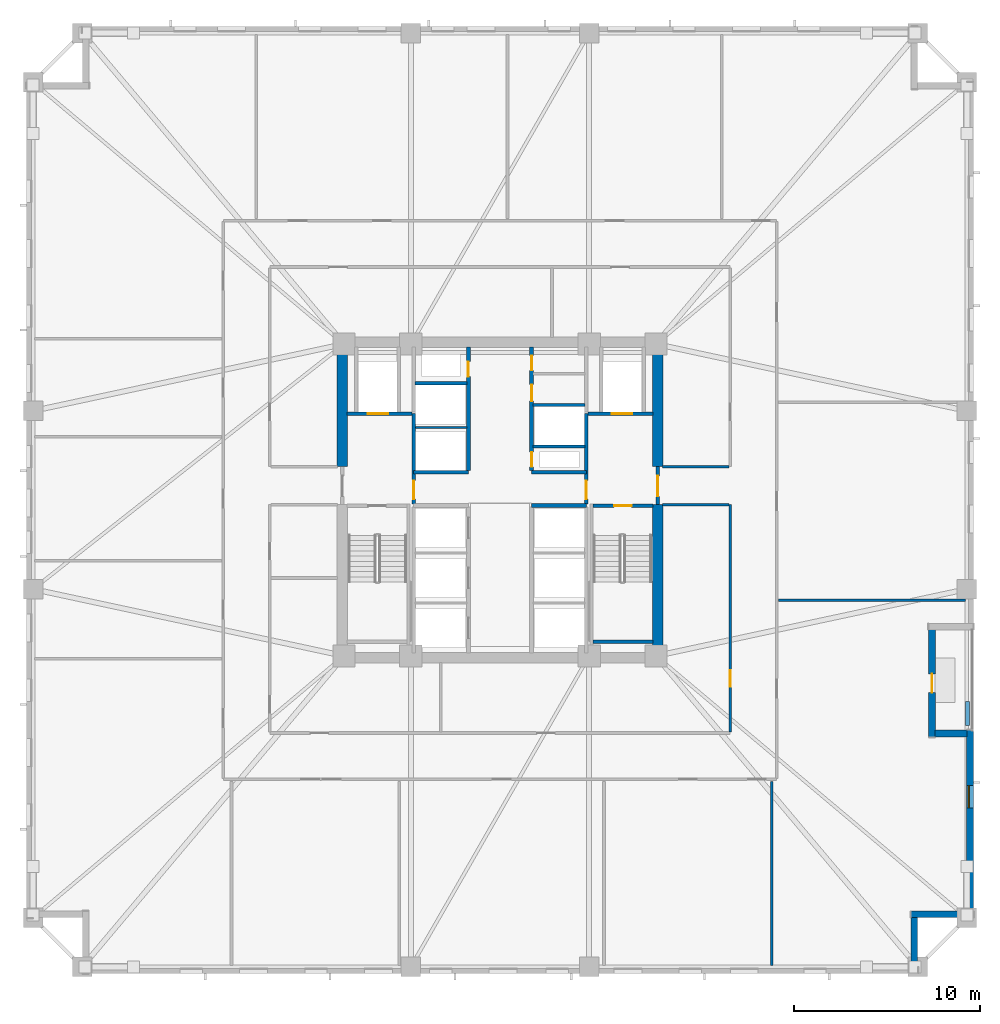
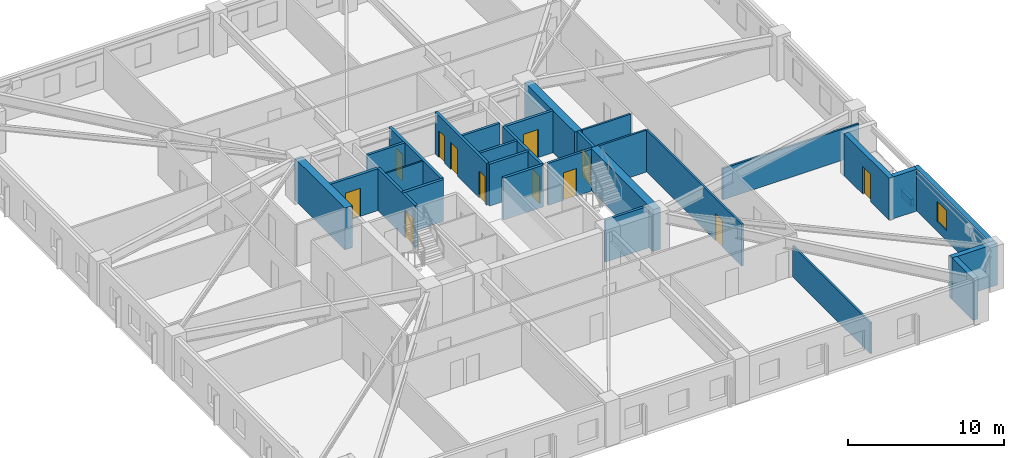
# One storey, part 4 of 11: 30 walls, 12 doors, 1 window, 13 openings.
"""IFC4 building model written with IfcOpenShell, lengths in metres."""

from ifc_helpers import new_model, si_unit, direction, frame, frame_2d, origin, place, context, subcontext, project, spatial, rectangle, extrude, material, layer, layer_set, type_object, element, fill, save


model = new_model("IFC4")

# Units and contexts
model_context = context("Model", 3, precision=1e-05, world=origin(), true_north=direction((0.0, 1.0)))
body_context = subcontext(model_context, "Body", "Model", "MODEL_VIEW")
ifc_project = project(units=[si_unit("LENGTHUNIT", "METRE"), si_unit("AREAUNIT", "SQUARE_METRE"), si_unit("VOLUMEUNIT", "CUBIC_METRE"), si_unit("PLANEANGLEUNIT", "RADIAN"), si_unit("MASSUNIT", "GRAM", prefix="KILO")], contexts=[model_context])

# Site, building, storey
site_placement = place(None, origin())
site = spatial("IfcSite", under=ifc_project, at=site_placement, CompositionType="ELEMENT")
building_placement = place(site_placement, origin())
building = spatial("IfcBuilding", under=site, at=building_placement, Name="Cairnveth Concourse Tower", CompositionType="ELEMENT")
storey_placement = place(building_placement, frame((0.0, 0.0, 55.0)))
storey = spatial("IfcBuildingStorey", under=building, at=storey_placement, Name="L14", CompositionType="ELEMENT", Elevation=55.0)

# Walls
ifc_material_1 = material(Name="Concrete N80 (80 MPa)", Category="concrete")
ifc_layer_1 = layer(ifc_material_1, 0.550048828125)
ifc_layer_set_1 = layer_set([ifc_layer_1], Name="Concrete N80 (80 MPa)")
wall_type_1 = type_object("IfcWallType", Name="CORE SHEAR WALL 550", PredefinedType="SHEAR", material=ifc_layer_set_1)
wall_1_placement = place(storey_placement, frame((43.5, 40.800048828125, 0.0), z_axis=(0.0, 0.0, 1.0), x_axis=(0.0, 1.0, 0.0)))
element("IfcWall", 1, at=wall_1_placement, inside=storey, type_object=wall_type_1, Name="Core West Shear Wall N L14", PredefinedType="SHEAR", context=body_context, shape_type="SweptSolid", body=[
    extrude(rectangle(XDim=6.43505859375, YDim=0.550048828125, at=frame_2d((3.217529296875, 0.0))), origin(), (0.0, 0.0, 1.0), 3.280029296875),
])
wall_2_placement = place(storey_placement, frame((60.5, 30.764892578125, 0.0), z_axis=(0.0, 0.0, 1.0), x_axis=(0.0, 1.0, 0.0)))
element("IfcWall", 2, at=wall_2_placement, inside=storey, type_object=wall_type_1, Name="Core East Shear Wall S L14", PredefinedType="SHEAR", context=body_context, shape_type="SweptSolid", body=[
    extrude(rectangle(XDim=7.985107421875, YDim=0.550048828125, at=frame_2d((3.99267578125, 0.0))), origin(), (0.0, 0.0, 1.0), 3.280029296875),
])
wall_3_placement = place(storey_placement, frame((60.5, 40.800048828125, 0.0), z_axis=(0.0, 0.0, 1.0), x_axis=(0.0, 1.0, 0.0)))
element("IfcWall", 3, at=wall_3_placement, inside=storey, type_object=wall_type_1, Name="Core East Shear Wall N L14", PredefinedType="SHEAR", context=body_context, shape_type="SweptSolid", body=[
    extrude(rectangle(XDim=6.43505859375, YDim=0.550048828125, at=frame_2d((3.217529296875, 0.0))), origin(), (0.0, 0.0, 1.0), 3.280029296875),
])
ifc_material_2 = material(Name="Concrete N50 (50 MPa)", Category="concrete")
ifc_layer_2 = layer(ifc_material_2, 0.179931640625)
ifc_layer_set_2 = layer_set([ifc_layer_2], Name="Concrete N50 (50 MPa)")
wall_type_2 = type_object("IfcWallType", Name="FIRE SHAFT WALL 180", PredefinedType="SOLIDWALL", material=ifc_layer_set_2)
wall_4_placement = place(storey_placement, frame((47.425048828125, 45.280029296875, 0.0), z_axis=(0.0, 0.0, 1.0), x_axis=(1.0, 0.0, 0.0)))
element("IfcWall", 4, at=wall_4_placement, inside=storey, type_object=wall_type_2, Name="Interior Wall IW-L14-033", PredefinedType="SOLIDWALL", context=body_context, shape_type="SweptSolid", body=[
    extrude(rectangle(XDim=2.7900390625, YDim=0.179931640625, at=frame_2d((1.39501953125, 0.0))), origin(), (0.0, 0.0, 1.0), 3.280029296875),
])
wall_5_placement = place(storey_placement, frame((53.784912109375, 41.8798828125, 0.0), z_axis=(0.0, 0.0, 1.0), x_axis=(1.0, 0.0, 0.0)))
element("IfcWall", 5, at=wall_5_placement, inside=storey, type_object=wall_type_2, Name="Interior Wall IW-L14-035", PredefinedType="SOLIDWALL", context=body_context, shape_type="SweptSolid", body=[
    extrude(rectangle(XDim=2.780029296875, YDim=0.179931640625, at=frame_2d((1.39013671875, 0.0))), origin(), (0.0, 0.0, 1.0), 3.280029296875),
])
wall_6_placement = place(storey_placement, frame((53.784912109375, 44.1201171875, 0.0), z_axis=(0.0, 0.0, 1.0), x_axis=(1.0, 0.0, 0.0)))
element("IfcWall", 6, at=wall_6_placement, inside=storey, type_object=wall_type_2, Name="Interior Wall IW-L14-036", PredefinedType="SOLIDWALL", context=body_context, shape_type="SweptSolid", body=[
    extrude(rectangle(XDim=2.7900390625, YDim=0.179931640625, at=frame_2d((1.39501953125, 0.0))), origin(), (0.0, 0.0, 1.0), 3.280029296875),
])

# Wall, opening, door
wall_7_placement = place(storey_placement, frame((57.0048828125, 38.68994140625, 0.0), z_axis=(0.0, 0.0, 1.0), x_axis=(1.0, 0.0, 0.0)))
wall_7 = element("IfcWall", 7, at=wall_7_placement, inside=storey, type_object=wall_type_2, Name="Stair ST-2 Shaft Wall NEAR L14", PredefinedType="SOLIDWALL", context=body_context, shape_type="SweptSolid", body=[
    extrude(rectangle(XDim=3.230224609375, YDim=0.179931640625, at=frame_2d((1.615234375, 0.0))), origin(), (0.0, 0.0, 1.0), 3.280029296875),
])
opening_1_placement = place(wall_7_placement, frame((1.139892578125, 0.0, 0.0)))
opening_1 = element("IfcOpeningElement", 8, at=opening_1_placement, cuts=wall_7, Name="Opening ID12", PredefinedType="OPENING", context=body_context, shape_type="SweptSolid", body=[
    extrude(rectangle(XDim=0.949951171875, YDim=2.14990234375, at=frame_2d((0.47509765625, 1.074951171875))), frame((0.0, 0.099853515625, 0.0), z_axis=(0.0, -1.0, 0.0), x_axis=(1.0, 0.0, 0.0)), (0.0, 0.0, 1.0), 0.199951171875),
])
ifc_material_3 = material(Name="Steel Grade 350", Category="steel")
door_type_1 = type_object("IfcDoorType", Name="FIRE STAIR DOOR 950X2150", OperationType="NOTDEFINED", PredefinedType="DOOR", material=ifc_material_3)
door_1_placement = place(opening_1_placement, origin())
door_1 = element("IfcDoor", 9, at=door_1_placement, inside=storey, type_object=door_type_1, Name="Stair ST-2 Fire Door L14", OperationType="SINGLE_SWING_RIGHT", OverallHeight=2.14990234375, OverallWidth=0.949951171875, PredefinedType="DOOR", context=body_context, shape_type="SweptSolid", body=[
    extrude(rectangle(XDim=0.949951171875, YDim=2.14990234375, at=frame_2d((0.47509765625, 1.074951171875))), frame((0.0, 0.02490234375, 0.0), z_axis=(0.0, -1.0, 0.0), x_axis=(1.0, 0.0, 0.0)), (0.0, 0.0, 1.0), 0.050048828125),
])
fill(opening_1, door_1)

# Walls
wall_8_placement = place(storey_placement, frame((57.0048828125, 31.360107421875, 0.0), z_axis=(0.0, 0.0, 1.0), x_axis=(1.0, 0.0, 0.0)))
element("IfcWall", 10, at=wall_8_placement, inside=storey, type_object=wall_type_2, Name="Stair ST-2 Shaft Wall FAR L14", PredefinedType="SOLIDWALL", context=body_context, shape_type="SweptSolid", body=[
    extrude(rectangle(XDim=3.230224609375, YDim=0.179931640625, at=frame_2d((1.615234375, 0.0))), origin(), (0.0, 0.0, 1.0), 3.280029296875),
])
ifc_layer_3 = layer(ifc_material_2, 0.199951171875)
ifc_layer_set_3 = layer_set([ifc_layer_3], Name="Concrete N50 (50 MPa)")
wall_type_3 = type_object("IfcWallType", Name="FIRE SHAFT WALL 200", PredefinedType="SOLIDWALL", material=ifc_layer_set_3)
for number, where, z_axis, x_axis, name in (
    (11, (47.35009765625, 40.5, 0.0), (0.0, 0.0, 1.0), (1.0, 0.0, 0.0), "Interior Wall IW-L14-008"),
    (12, (53.699951171875, 38.699951171875, 0.0), (0.0, 0.0, 1.0), (1.0, 0.0, 0.0), "Interior Wall IW-L14-009"),
    (13, (53.699951171875, 40.5, 0.0), (0.0, 0.0, 1.0), (1.0, 0.0, 0.0), "Interior Wall IW-L14-010"),
):
    element("IfcWall", number, at=place(storey_placement, frame(where, z_axis=z_axis, x_axis=x_axis)), inside=storey, type_object=wall_type_3, Name=name, PredefinedType="SOLIDWALL", context=body_context, shape_type="SweptSolid", body=[
        extrude(rectangle(XDim=2.949951171875, YDim=0.199951171875, at=frame_2d((1.47509765625, 0.0))), origin(), (0.0, 0.0, 1.0), 3.280029296875),
    ])

# Wall, opening, door
wall_9_placement = place(storey_placement, frame((50.300048828125, 40.5849609375, 0.0), z_axis=(0.0, 0.0, 1.0), x_axis=(0.0, 1.0, 0.0)))
wall_9 = element("IfcWall", 14, at=wall_9_placement, inside=storey, type_object=wall_type_3, Name="Interior Wall IW-L14-013", PredefinedType="SOLIDWALL", context=body_context, shape_type="SweptSolid", body=[
    extrude(rectangle(XDim=6.655029296875, YDim=0.199951171875, at=frame_2d((3.32763671875, 0.0))), origin(), (0.0, 0.0, 1.0), 3.280029296875),
])
opening_2_placement = place(wall_9_placement, frame((5.06494140625, 0.0, 0.0)))
opening_2 = element("IfcOpeningElement", 15, at=opening_2_placement, cuts=wall_9, Name="Opening ID24", PredefinedType="OPENING", context=body_context, shape_type="SweptSolid", body=[
    extrude(rectangle(XDim=0.800048828125, YDim=2.080078125, at=frame_2d((0.39990234375, 1.0400390625))), frame((0.0, 0.10986328125, 0.0), z_axis=(0.0, -1.0, 0.0), x_axis=(1.0, 0.0, 0.0)), (0.0, 0.0, 1.0), 0.219970703125),
])
door_type_2 = type_object("IfcDoorType", Name="RISER ACCESS DOOR 800X2100", OperationType="NOTDEFINED", PredefinedType="DOOR", material=ifc_material_3)
door_2_placement = place(opening_2_placement, origin())
door_2 = element("IfcDoor", 16, at=door_2_placement, inside=storey, type_object=door_type_2, Name="NW Electrical Riser Access Door L14", OperationType="SINGLE_SWING_RIGHT", OverallHeight=2.080078125, OverallWidth=0.800048828125, PredefinedType="DOOR", context=body_context, shape_type="SweptSolid", body=[
    extrude(rectangle(XDim=0.800048828125, YDim=2.080078125, at=frame_2d((0.39990234375, 1.0400390625))), frame((0.0, 0.02490234375, 0.0), z_axis=(0.0, -1.0, 0.0), x_axis=(1.0, 0.0, 0.0)), (0.0, 0.0, 1.0), 0.050048828125),
])
fill(opening_2, door_2)

# Wall, openings, doors
wall_10_placement = place(storey_placement, frame((53.699951171875, 40.5849609375, 0.0), z_axis=(0.0, 0.0, 1.0), x_axis=(0.0, 1.0, 0.0)))
wall_10 = element("IfcWall", 17, at=wall_10_placement, inside=storey, type_object=wall_type_3, Name="Interior Wall IW-L14-014", PredefinedType="SOLIDWALL", context=body_context, shape_type="SweptSolid", body=[
    extrude(rectangle(XDim=6.655029296875, YDim=0.199951171875, at=frame_2d((3.32763671875, 0.0))), origin(), (0.0, 0.0, 1.0), 3.280029296875),
])
opening_3_placement = place(wall_10_placement, frame((0.195068359375, 0.0, 0.0)))
opening_3 = element("IfcOpeningElement", 18, at=opening_3_placement, cuts=wall_10, Name="Opening ID24", PredefinedType="OPENING", context=body_context, shape_type="SweptSolid", body=[
    extrude(rectangle(XDim=0.800048828125, YDim=2.080078125, at=frame_2d((0.39990234375, 1.0400390625))), frame((0.0, 0.10986328125, 0.0), z_axis=(0.0, -1.0, 0.0), x_axis=(1.0, 0.0, 0.0)), (0.0, 0.0, 1.0), 0.219970703125),
])
opening_4_placement = place(wall_10_placement, frame((3.735107421875, 0.0, 0.0)))
opening_4 = element("IfcOpeningElement", 19, at=opening_4_placement, cuts=wall_10, Name="Opening ID26", PredefinedType="OPENING", context=body_context, shape_type="SweptSolid", body=[
    extrude(rectangle(XDim=0.89990234375, YDim=2.1201171875, at=frame_2d((0.449951171875, 1.06005859375))), frame((0.0, 0.10986328125, 0.0), z_axis=(0.0, -1.0, 0.0), x_axis=(1.0, 0.0, 0.0)), (0.0, 0.0, 1.0), 0.219970703125),
])
opening_5_placement = place(wall_10_placement, frame((5.39501953125, 0.0, 0.0)))
opening_5 = element("IfcOpeningElement", 20, at=opening_5_placement, cuts=wall_10, Name="Opening ID23", PredefinedType="OPENING", context=body_context, shape_type="SweptSolid", body=[
    extrude(rectangle(XDim=0.800048828125, YDim=2.10009765625, at=frame_2d((0.39990234375, 1.050048828125))), frame((0.0, 0.10986328125, 0.0), z_axis=(0.0, -1.0, 0.0), x_axis=(1.0, 0.0, 0.0)), (0.0, 0.0, 1.0), 0.219970703125),
])
door_type_3 = type_object("IfcDoorType", Name="CORE SERVICE DOOR 800X2100", OperationType="NOTDEFINED", PredefinedType="DOOR", material=ifc_material_3)
door_3_placement = place(opening_5_placement, origin())
door_3 = element("IfcDoor", 21, at=door_3_placement, inside=storey, type_object=door_type_3, Name="Core NE Cleaners Door L14", OperationType="SINGLE_SWING_LEFT", OverallHeight=2.10009765625, OverallWidth=0.800048828125, PredefinedType="DOOR", context=body_context, shape_type="SweptSolid", body=[
    extrude(rectangle(XDim=0.800048828125, YDim=2.10009765625, at=frame_2d((0.39990234375, 1.050048828125))), frame((0.0, 0.02490234375, 0.0), z_axis=(0.0, -1.0, 0.0), x_axis=(1.0, 0.0, 0.0)), (0.0, 0.0, 1.0), 0.050048828125),
])
fill(opening_5, door_3)
door_type_4 = type_object("IfcDoorType", Name="CORE TOILET FIRE DOOR 900X2120", OperationType="NOTDEFINED", PredefinedType="DOOR", material=ifc_material_3)
door_4_placement = place(opening_4_placement, origin())
door_4 = element("IfcDoor", 22, at=door_4_placement, inside=storey, type_object=door_type_4, Name="Core NE Unisex WC Door L14", OperationType="SINGLE_SWING_RIGHT", OverallHeight=2.1201171875, OverallWidth=0.89990234375, PredefinedType="DOOR", context=body_context, shape_type="SweptSolid", body=[
    extrude(rectangle(XDim=0.89990234375, YDim=2.1201171875, at=frame_2d((0.449951171875, 1.06005859375))), frame((0.0, 0.02490234375, 0.0), z_axis=(0.0, -1.0, 0.0), x_axis=(1.0, 0.0, 0.0)), (0.0, 0.0, 1.0), 0.050048828125),
])
fill(opening_4, door_4)
door_5_placement = place(opening_3_placement, origin())
door_5 = element("IfcDoor", 23, at=door_5_placement, inside=storey, type_object=door_type_2, Name="Hydraulic Riser Door L14", OperationType="SINGLE_SWING_LEFT", OverallHeight=2.080078125, OverallWidth=0.800048828125, PredefinedType="DOOR", context=body_context, shape_type="SweptSolid", body=[
    extrude(rectangle(XDim=0.800048828125, YDim=2.080078125, at=frame_2d((0.39990234375, 1.0400390625))), frame((0.0, 0.02490234375, 0.0), z_axis=(0.0, -1.0, 0.0), x_axis=(1.0, 0.0, 0.0)), (0.0, 0.0, 1.0), 0.050048828125),
])
fill(opening_3, door_5)

# Wall, opening, door
wall_11_placement = place(storey_placement, frame((47.35009765625, 38.784912109375, 0.0), z_axis=(0.0, 0.0, 1.0), x_axis=(0.0, 1.0, 0.0)))
wall_11 = element("IfcWall", 24, at=wall_11_placement, inside=storey, type_object=wall_type_3, Name="Interior Wall IW-L14-016", PredefinedType="SOLIDWALL", context=body_context, shape_type="SweptSolid", body=[
    extrude(rectangle(XDim=4.864990234375, YDim=0.199951171875, at=frame_2d((2.4326171875, 0.0))), origin(), (0.0, 0.0, 1.0), 3.280029296875),
])
opening_6_placement = place(wall_11_placement, frame((0.264892578125, 0.0, 0.0)))
opening_6 = element("IfcOpeningElement", 25, at=opening_6_placement, cuts=wall_11, Name="Opening ID07", PredefinedType="OPENING", context=body_context, shape_type="SweptSolid", body=[
    extrude(rectangle(XDim=1.0, YDim=2.14990234375, at=frame_2d((0.5, 1.074951171875))), frame((0.0, 0.10986328125, 0.0), z_axis=(0.0, -1.0, 0.0), x_axis=(1.0, 0.0, 0.0)), (0.0, 0.0, 1.0), 0.219970703125),
])
door_type_5 = type_object("IfcDoorType", Name="FIRE CORRIDOR DOOR 1000X2150", OperationType="NOTDEFINED", PredefinedType="DOOR", material=ifc_material_3)
door_6_placement = place(opening_6_placement, origin())
door_6 = element("IfcDoor", 26, at=door_6_placement, inside=storey, type_object=door_type_5, Name="FF Lobby West to Lift Lobby Door L14", OperationType="SINGLE_SWING_RIGHT", OverallHeight=2.14990234375, OverallWidth=1.0, PredefinedType="DOOR", context=body_context, shape_type="SweptSolid", body=[
    extrude(rectangle(XDim=1.0, YDim=2.14990234375, at=frame_2d((0.5, 1.074951171875))), frame((0.0, 0.02490234375, 0.0), z_axis=(0.0, -1.0, 0.0), x_axis=(1.0, 0.0, 0.0)), (0.0, 0.0, 1.0), 0.050048828125),
])
fill(opening_6, door_6)

wall_12_placement = place(storey_placement, frame((43.760009765625, 43.64990234375, 0.0), z_axis=(0.0, 0.0, 1.0), x_axis=(1.0, 0.0, 0.0)))
wall_12 = element("IfcWall", 27, at=wall_12_placement, inside=storey, type_object=wall_type_3, Name="Interior Wall IW-L14-017", PredefinedType="SOLIDWALL", context=body_context, shape_type="SweptSolid", body=[
    extrude(rectangle(XDim=3.5048828125, YDim=0.199951171875, at=frame_2d((1.75244140625, 0.0))), origin(), (0.0, 0.0, 1.0), 3.280029296875),
])
opening_7_placement = place(wall_12_placement, frame((1.110107421875, 0.0, 0.0)))
opening_7 = element("IfcOpeningElement", 28, at=opening_7_placement, cuts=wall_12, Name="Opening LD-1", PredefinedType="OPENING", context=body_context, shape_type="SweptSolid", body=[
    extrude(rectangle(XDim=1.10009765625, YDim=2.199951171875, at=frame_2d((0.550048828125, 1.10009765625))), frame((0.0, 0.10986328125, 0.0), z_axis=(0.0, -1.0, 0.0), x_axis=(1.0, 0.0, 0.0)), (0.0, 0.0, 1.0), 0.219970703125),
])
ifc_material_4 = material(Name="Architectural Bronze Anodised Aluminium 6063-T6", Category="aluminium")
door_type_6 = type_object("IfcDoorType", Name="LIFT LANDING DOOR 1100X2200", OperationType="SLIDING_TO_LEFT", PredefinedType="DOOR", material=ifc_material_4)
door_7_placement = place(opening_7_placement, origin())
door_7 = element("IfcDoor", 29, at=door_7_placement, inside=storey, type_object=door_type_6, Name="Lift FFL1 Landing Door L14", OperationType="SLIDING_TO_LEFT", OverallHeight=2.199951171875, OverallWidth=1.10009765625, PredefinedType="DOOR", context=body_context, shape_type="SweptSolid", body=[
    extrude(rectangle(XDim=1.10009765625, YDim=2.199951171875, at=frame_2d((0.550048828125, 1.10009765625))), frame((0.0, 0.02490234375, 0.0), z_axis=(0.0, -1.0, 0.0), x_axis=(1.0, 0.0, 0.0)), (0.0, 0.0, 1.0), 0.050048828125),
])
fill(opening_7, door_7)

wall_13_placement = place(storey_placement, frame((60.5, 38.75, 0.0), z_axis=(0.0, 0.0, 1.0), x_axis=(0.0, 1.0, 0.0)))
wall_13 = element("IfcWall", 30, at=wall_13_placement, inside=storey, type_object=wall_type_3, Name="Interior Wall IW-L14-020", PredefinedType="SOLIDWALL", context=body_context, shape_type="SweptSolid", body=[
    extrude(rectangle(XDim=2.050048828125, YDim=0.199951171875, at=frame_2d((1.02490234375, 0.0))), origin(), (0.0, 0.0, 1.0), 3.280029296875),
])
opening_8_placement = place(wall_13_placement, frame((0.449951171875, 0.0, 0.0)))
opening_8 = element("IfcOpeningElement", 31, at=opening_8_placement, cuts=wall_13, Name="Opening ID06", PredefinedType="OPENING", context=body_context, shape_type="SweptSolid", body=[
    extrude(rectangle(XDim=1.10009765625, YDim=2.14990234375, at=frame_2d((0.550048828125, 1.074951171875))), frame((0.0, 0.10986328125, 0.0), z_axis=(0.0, -1.0, 0.0), x_axis=(1.0, 0.0, 0.0)), (0.0, 0.0, 1.0), 0.219970703125),
])
door_type_7 = type_object("IfcDoorType", Name="FIRE CORRIDOR DOOR 1100X2150", OperationType="NOTDEFINED", PredefinedType="DOOR", material=ifc_material_3)
door_8_placement = place(opening_8_placement, origin())
door_8 = element("IfcDoor", 32, at=door_8_placement, inside=storey, type_object=door_type_7, Name="East Wing to FF Lobby Door L14", OperationType="SINGLE_SWING_RIGHT", OverallHeight=2.14990234375, OverallWidth=1.10009765625, PredefinedType="DOOR", context=body_context, shape_type="SweptSolid", body=[
    extrude(rectangle(XDim=1.10009765625, YDim=2.14990234375, at=frame_2d((0.550048828125, 1.074951171875))), frame((0.0, 0.02490234375, 0.0), z_axis=(0.0, -1.0, 0.0), x_axis=(1.0, 0.0, 0.0)), (0.0, 0.0, 1.0), 0.050048828125),
])
fill(opening_8, door_8)

wall_14_placement = place(storey_placement, frame((56.64990234375, 38.784912109375, 0.0), z_axis=(0.0, 0.0, 1.0), x_axis=(0.0, 1.0, 0.0)))
wall_14 = element("IfcWall", 33, at=wall_14_placement, inside=storey, type_object=wall_type_3, Name="Interior Wall IW-L14-021", PredefinedType="SOLIDWALL", context=body_context, shape_type="SweptSolid", body=[
    extrude(rectangle(XDim=4.864990234375, YDim=0.199951171875, at=frame_2d((2.4326171875, 0.0))), origin(), (0.0, 0.0, 1.0), 3.280029296875),
])
opening_9_placement = place(wall_14_placement, frame((0.264892578125, 0.0, 0.0)))
opening_9 = element("IfcOpeningElement", 34, at=opening_9_placement, cuts=wall_14, Name="Opening ID07", PredefinedType="OPENING", context=body_context, shape_type="SweptSolid", body=[
    extrude(rectangle(XDim=1.0, YDim=2.14990234375, at=frame_2d((0.5, 1.074951171875))), frame((0.0, 0.10986328125, 0.0), z_axis=(0.0, -1.0, 0.0), x_axis=(1.0, 0.0, 0.0)), (0.0, 0.0, 1.0), 0.219970703125),
])
door_9_placement = place(opening_9_placement, origin())
door_9 = element("IfcDoor", 35, at=door_9_placement, inside=storey, type_object=door_type_5, Name="FF Lobby East to Lift Lobby Door L14", OperationType="SINGLE_SWING_LEFT", OverallHeight=2.14990234375, OverallWidth=1.0, PredefinedType="DOOR", context=body_context, shape_type="SweptSolid", body=[
    extrude(rectangle(XDim=1.0, YDim=2.14990234375, at=frame_2d((0.5, 1.074951171875))), frame((0.0, 0.02490234375, 0.0), z_axis=(0.0, -1.0, 0.0), x_axis=(1.0, 0.0, 0.0)), (0.0, 0.0, 1.0), 0.050048828125),
])
fill(opening_9, door_9)

wall_15_placement = place(storey_placement, frame((56.735107421875, 43.64990234375, 0.0), z_axis=(0.0, 0.0, 1.0), x_axis=(1.0, 0.0, 0.0)))
wall_15 = element("IfcWall", 36, at=wall_15_placement, inside=storey, type_object=wall_type_3, Name="Interior Wall IW-L14-022", PredefinedType="SOLIDWALL", context=body_context, shape_type="SweptSolid", body=[
    extrude(rectangle(XDim=3.5048828125, YDim=0.199951171875, at=frame_2d((1.75244140625, 0.0))), origin(), (0.0, 0.0, 1.0), 3.280029296875),
])
opening_10_placement = place(wall_15_placement, frame((1.294921875, 0.0, 0.0)))
opening_10 = element("IfcOpeningElement", 37, at=opening_10_placement, cuts=wall_15, Name="Opening LD-1", PredefinedType="OPENING", context=body_context, shape_type="SweptSolid", body=[
    extrude(rectangle(XDim=1.10009765625, YDim=2.199951171875, at=frame_2d((0.550048828125, 1.10009765625))), frame((0.0, 0.10986328125, 0.0), z_axis=(0.0, -1.0, 0.0), x_axis=(1.0, 0.0, 0.0)), (0.0, 0.0, 1.0), 0.219970703125),
])
door_10_placement = place(opening_10_placement, origin())
door_10 = element("IfcDoor", 38, at=door_10_placement, inside=storey, type_object=door_type_6, Name="Lift FFL2 Landing Door L14", OperationType="SLIDING_TO_LEFT", OverallHeight=2.199951171875, OverallWidth=1.10009765625, PredefinedType="DOOR", context=body_context, shape_type="SweptSolid", body=[
    extrude(rectangle(XDim=1.10009765625, YDim=2.199951171875, at=frame_2d((0.550048828125, 1.10009765625))), frame((0.0, 0.02490234375, 0.0), z_axis=(0.0, -1.0, 0.0), x_axis=(1.0, 0.0, 0.0)), (0.0, 0.0, 1.0), 0.050048828125),
])
fill(opening_10, door_10)

ifc_material_5 = material(Name="Gypsum Plasterboard Partition", Category="gypsum")
ifc_layer_4 = layer(ifc_material_5, 0.139892578125)
ifc_layer_set_4 = layer_set([ifc_layer_4], Name="Gypsum Plasterboard Partition")
wall_type_4 = type_object("IfcWallType", Name="GYPSUM STUD PARTITION 140", PredefinedType="PARTITIONING", material=ifc_layer_set_4)
wall_16_placement = place(storey_placement, frame((64.39990234375, 26.5048828125, 0.0), z_axis=(0.0, 0.0, 1.0), x_axis=(0.0, 1.0, 0.0)))
wall_16 = element("IfcWall", 39, at=wall_16_placement, inside=storey, type_object=wall_type_4, Name="Interior Wall IW-L14-048", PredefinedType="PARTITIONING", context=body_context, shape_type="SweptSolid", body=[
    extrude(rectangle(XDim=12.2451171875, YDim=0.139892578125, at=frame_2d((6.12255859375, 0.0))), origin(), (0.0, 0.0, 1.0), 3.280029296875),
])
opening_11_placement = place(wall_16_placement, frame((2.445068359375, 0.0, 0.0)))
opening_11 = element("IfcOpeningElement", 40, at=opening_11_placement, cuts=wall_16, Name="Opening ID18", PredefinedType="OPENING", context=body_context, shape_type="SweptSolid", body=[
    extrude(rectangle(XDim=0.8798828125, YDim=2.10009765625, at=frame_2d((0.43994140625, 1.050048828125))), frame((0.0, 0.079833984375, 0.0), z_axis=(0.0, -1.0, 0.0), x_axis=(1.0, 0.0, 0.0)), (0.0, 0.0, 1.0), 0.159912109375),
])
ifc_material_6 = material(Name="Solid Core Hardwood Timber Leaf", Category="wood")
door_type_8 = type_object("IfcDoorType", Name="INTERIOR SINGLE DOOR 880X2100", OperationType="NOTDEFINED", PredefinedType="DOOR", material=ifc_material_6)
door_11_placement = place(opening_11_placement, origin())
door_11 = element("IfcDoor", 41, at=door_11_placement, inside=storey, type_object=door_type_8, Name="Interior Door DR-L14-021", OperationType="SINGLE_SWING_LEFT", OverallHeight=2.10009765625, OverallWidth=0.8798828125, PredefinedType="DOOR", context=body_context, shape_type="SweptSolid", body=[
    extrude(rectangle(XDim=0.8798828125, YDim=2.10009765625, at=frame_2d((0.43994140625, 1.050048828125))), frame((0.0, 0.02490234375, 0.0), z_axis=(0.0, -1.0, 0.0), x_axis=(1.0, 0.0, 0.0)), (0.0, 0.0, 1.0), 0.050048828125),
])
fill(opening_11, door_11)

# Walls
for number, where, z_axis, x_axis, name in (
    (42, (60.760009765625, 38.75, 0.0), (0.0, 0.0, 1.0), (1.0, 0.0, 0.0), "Interior Wall IW-L14-050"),
    (43, (60.760009765625, 40.800048828125, 0.0), (0.0, 0.0, 1.0), (1.0, 0.0, 0.0), "Interior Wall IW-L14-051"),
):
    element("IfcWall", number, at=place(storey_placement, frame(where, z_axis=z_axis, x_axis=x_axis)), inside=storey, type_object=wall_type_4, Name=name, PredefinedType="PARTITIONING", context=body_context, shape_type="SweptSolid", body=[
        extrude(rectangle(XDim=3.5849609375, YDim=0.139892578125, at=frame_2d((1.79248046875, 0.0))), origin(), (0.0, 0.0, 1.0), 3.280029296875),
    ])
wall_17_placement = place(storey_placement, frame((66.64306640625, 13.919921875, 0.0), z_axis=(0.0, 0.0, 1.0), x_axis=(0.0, 1.0, 0.0)))
element("IfcWall", 44, at=wall_17_placement, inside=storey, type_object=wall_type_4, Name="Interior Wall IW-L14-058", PredefinedType="PARTITIONING", context=body_context, shape_type="SweptSolid", body=[
    extrude(rectangle(XDim=9.93017578125, YDim=0.139892578125, at=frame_2d((4.965087890625, 0.0))), origin(), (0.0, 0.0, 1.0), 2.43896484375),
])
wall_18_placement = place(storey_placement, frame((67.0, 33.607177734375, 0.0), z_axis=(0.0, 0.0, 1.0), x_axis=(1.0, 0.0, 0.0)))
element("IfcWall", 45, at=wall_18_placement, inside=storey, type_object=wall_type_4, Name="Interior Wall IW-L14-066", PredefinedType="PARTITIONING", context=body_context, shape_type="SweptSolid", body=[
    extrude(rectangle(XDim=10.080078125, YDim=0.139892578125, at=frame_2d((5.0400390625, 0.0))), origin(), (0.0, 0.0, 1.0), 2.43896484375),
])
ifc_layer_5 = layer(ifc_material_5, 0.110107421875)
ifc_layer_set_5 = layer_set([ifc_layer_5], Name="Gypsum Plasterboard Partition")
wall_type_5 = type_object("IfcWallType", Name="SHAFT DIVIDER WALL 140", PredefinedType="PARTITIONING", material=ifc_layer_set_5)
wall_19_placement = place(storey_placement, frame((47.43505859375, 42.89990234375, 0.0), z_axis=(0.0, 0.0, 1.0), x_axis=(1.0, 0.0, 0.0)))
element("IfcWall", 46, at=wall_19_placement, inside=storey, type_object=wall_type_5, Name="Interior Wall IW-L14-032", PredefinedType="PARTITIONING", context=body_context, shape_type="SweptSolid", body=[
    extrude(rectangle(XDim=2.780029296875, YDim=0.110107421875, at=frame_2d((1.39013671875, 0.0))), origin(), (0.0, 0.0, 1.0), 3.280029296875),
])
ifc_material_7 = material(Name="Dressed Melbourne Bluestone Cladding", Category="masonry")
ifc_layer_6 = layer(ifc_material_7, 0.219970703125)
ifc_layer_set_6 = layer_set([ifc_layer_6], Name="Dressed Melbourne Bluestone Cladding")
wall_type_6 = type_object("IfcWallType", Name="TERRACE PLANTER CURB WALL 220", PredefinedType="PARAPET", material=ifc_layer_set_6)
wall_20_placement = place(storey_placement, frame((77.179931640625, 26.85009765625, 0.0), z_axis=(0.0, 0.0, 1.0), x_axis=(0.0, 1.0, 0.0)))
element("IfcWall", 47, at=wall_20_placement, inside=storey, type_object=wall_type_6, Name="Exterior Wall PLNT-L14-TERR", PredefinedType="PARAPET", context=body_context, shape_type="SweptSolid", body=[
    extrude(rectangle(XDim=1.2998046875, YDim=0.219970703125, at=frame_2d((0.64990234375, 0.0))), origin(), (0.0, 0.0, 1.0), 0.550048828125),
])

# Wall, opening, window
ifc_material_8 = material(Name="Hawthorn Red-Ochre Fired Clay Brick Masonry", Category="masonry")
ifc_layer_7 = layer(ifc_material_8, 0.360107421875)
ifc_layer_set_7 = layer_set([ifc_layer_7], Name="Hawthorn Red-Ochre Fired Clay Brick Masonry")
wall_type_7 = type_object("IfcWallType", Name="ZONE 1 BRICK PIER SPANDREL WALL 360", PredefinedType="SOLIDWALL", material=ifc_layer_set_7)
wall_21_placement = place(storey_placement, frame((77.320068359375, 26.60009765625, 0.0), z_axis=(0.0, 0.0, 1.0), x_axis=(0.0, -1.0, 0.0)))
wall_21 = element("IfcWall", 48, at=wall_21_placement, inside=storey, type_object=wall_type_7, Name="Exterior Wall EW-L14-S00", PredefinedType="SOLIDWALL", context=body_context, shape_type="SweptSolid", body=[
    extrude(rectangle(XDim=9.76220703125, YDim=0.360107421875, at=frame_2d((4.881103515625, 0.0))), origin(), (0.0, 0.0, 1.0), 3.280029296875),
])
opening_12_placement = place(wall_21_placement, frame((2.98095703125, 0.0, 0.800048828125)))
opening_12 = element("IfcOpeningElement", 49, at=opening_12_placement, cuts=wall_21, Name="Opening W01", PredefinedType="OPENING", context=body_context, shape_type="SweptSolid", body=[
    extrude(rectangle(XDim=1.199951171875, YDim=1.5439453125, at=frame_2d((0.60009765625, 0.77197265625))), frame((0.0, 0.18994140625, 0.0), z_axis=(0.0, -1.0, 0.0), x_axis=(1.0, 0.0, 0.0)), (0.0, 0.0, 1.0), 0.380126953125),
])
ifc_material_9 = material(Name="Double Glazed Low-E Clear Glass", Category="glass")
window_type = type_object("IfcWindowType", Name="DEEP-SET GOTHIC LANCET WINDOW 1200X1800", PartitioningType="DOUBLE_PANEL_VERTICAL", PredefinedType="WINDOW", material=ifc_material_9)
window_placement = place(opening_12_placement, origin())
window = element("IfcWindow", 50, at=window_placement, inside=storey, type_object=window_type, Name="Gothic Lancet Window L14-0-1", OverallHeight=1.5439453125, OverallWidth=1.199951171875, PartitioningType="SINGLE_PANEL", PredefinedType="WINDOW", context=body_context, shape_type="SweptSolid", body=[
    extrude(rectangle(XDim=1.199951171875, YDim=1.5439453125, at=frame_2d((0.60009765625, 0.77197265625))), frame((0.0, -0.050048828125, 0.0), z_axis=(0.0, -1.0, 0.0), x_axis=(1.0, 0.0, 0.0)), (0.0, 0.0, 1.0), 0.06005859375),
])
fill(opening_12, window)

# Walls
wall_22_placement = place(storey_placement, frame((77.5, 16.679931640625, 0.0), z_axis=(0.0, 0.0, 1.0), x_axis=(-1.0, 0.0, 0.0)))
element("IfcWall", 51, at=wall_22_placement, inside=storey, type_object=wall_type_7, Name="Exterior Wall EW-L14-S01", PredefinedType="SOLIDWALL", context=body_context, shape_type="SweptSolid", body=[
    extrude(rectangle(XDim=3.360107421875, YDim=0.360107421875, at=frame_2d((1.68017578125, 0.0))), origin(), (0.0, 0.0, 1.0), 3.280029296875),
])
wall_23_placement = place(storey_placement, frame((74.320068359375, 16.52197265625, 0.0), z_axis=(0.0, 0.0, 1.0), x_axis=(0.0, -1.0, 0.0)))
element("IfcWall", 52, at=wall_23_placement, inside=storey, type_object=wall_type_7, Name="Exterior Wall EW-L14-S02", PredefinedType="SOLIDWALL", context=body_context, shape_type="SweptSolid", body=[
    extrude(rectangle(XDim=2.68408203125, YDim=0.360107421875, at=frame_2d((1.342041015625, 0.0))), origin(), (0.0, 0.0, 1.0), 3.280029296875),
])

# Wall, opening, door
wall_24_placement = place(storey_placement, frame((75.27001953125, 32.02197265625, 0.0), z_axis=(0.0, 0.0, 1.0), x_axis=(0.0, -1.0, 0.0)))
wall_24 = element("IfcWall", 53, at=wall_24_placement, inside=storey, type_object=wall_type_7, Name="Exterior Wall EW-L14-S14", PredefinedType="SOLIDWALL", context=body_context, shape_type="SweptSolid", body=[
    extrude(rectangle(XDim=5.781982421875, YDim=0.360107421875, at=frame_2d((2.89111328125, 0.0))), origin(), (0.0, 0.0, 1.0), 3.280029296875),
])
opening_13_placement = place(wall_24_placement, frame((2.39111328125, 0.0, 0.0)))
opening_13 = element("IfcOpeningElement", 54, at=opening_13_placement, cuts=wall_24, Name="Opening ED4", PredefinedType="OPENING", context=body_context, shape_type="SweptSolid", body=[
    extrude(rectangle(XDim=1.0, YDim=2.14990234375, at=frame_2d((0.5, 1.074951171875))), frame((0.0, 0.18994140625, 0.0), z_axis=(0.0, -1.0, 0.0), x_axis=(1.0, 0.0, 0.0)), (0.0, 0.0, 1.0), 0.380126953125),
])
door_type_9 = type_object("IfcDoorType", Name="TERRACE GLAZED DOOR 1000X2150", OperationType="NOTDEFINED", PredefinedType="DOOR", material=ifc_material_4)
door_12_placement = place(opening_13_placement, origin())
door_12 = element("IfcDoor", 55, at=door_12_placement, inside=storey, type_object=door_type_9, Name="Spiral Terrace Door L14", OperationType="SINGLE_SWING_LEFT", OverallHeight=2.14990234375, OverallWidth=1.0, PredefinedType="DOOR", context=body_context, shape_type="SweptSolid", body=[
    extrude(rectangle(XDim=1.0, YDim=2.14990234375, at=frame_2d((0.5, 1.074951171875))), frame((0.0, 0.02490234375, 0.0), z_axis=(0.0, -1.0, 0.0), x_axis=(1.0, 0.0, 0.0)), (0.0, 0.0, 1.0), 0.050048828125),
])
fill(opening_13, door_12)

# Wall
wall_25_placement = place(storey_placement, frame((75.427978515625, 26.419921875, 0.0), z_axis=(0.0, 0.0, 1.0), x_axis=(1.0, 0.0, 0.0)))
element("IfcWall", 56, at=wall_25_placement, inside=storey, type_object=wall_type_7, Name="Exterior Wall EW-L14-S15", PredefinedType="SOLIDWALL", context=body_context, shape_type="SweptSolid", body=[
    extrude(rectangle(XDim=1.734130859375, YDim=0.360107421875, at=frame_2d((0.8671875, 0.0))), origin(), (0.0, 0.0, 1.0), 3.280029296875),
])

save(model, "model.ifc")
